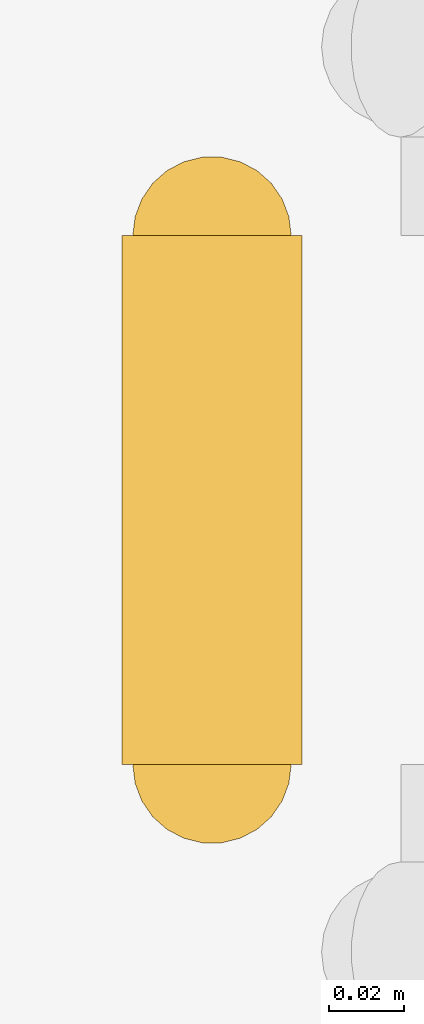
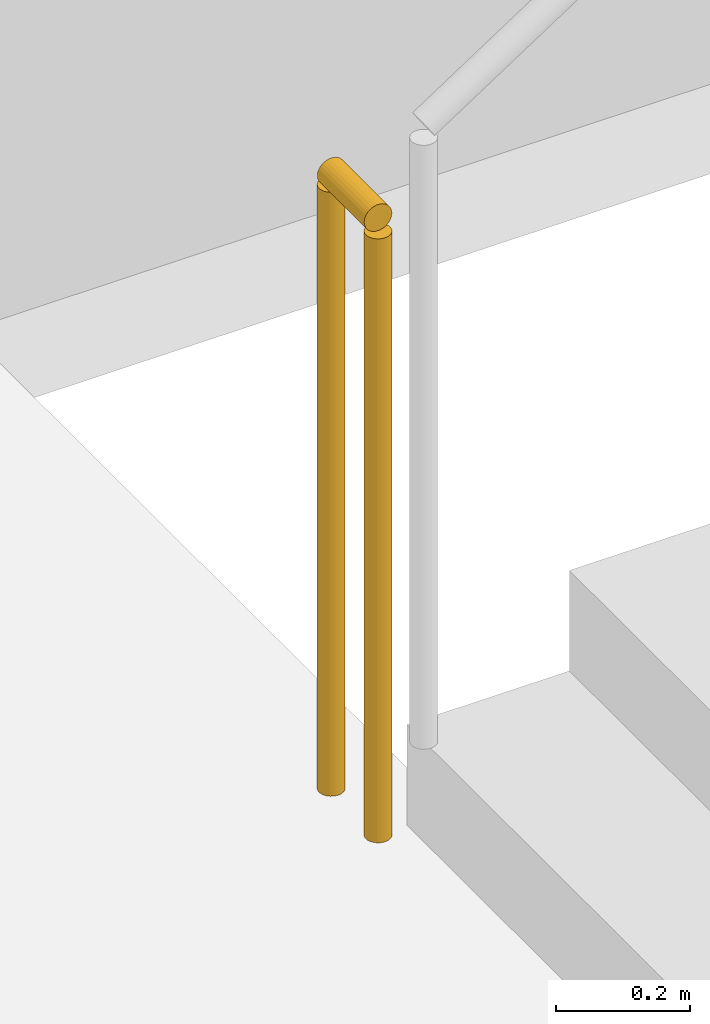
# One storey, part 22 of 27: 1 railing.
"""IFC4 building model written with IfcOpenShell, lengths in metres."""

from ifc_helpers import new_model, si_unit, direction, frame, origin, origin_2d, place, context, subcontext, project, spatial, circle, extrude, material, type_object, element, save


model = new_model("IFC4")

# Units and contexts
model_context = context("Model", 3, precision=1e-05, world=origin(), true_north=direction((0.0, 1.0)))
body_context = subcontext(model_context, "Body", "Model", "MODEL_VIEW")
ifc_project = project(units=[si_unit("LENGTHUNIT", "METRE"), si_unit("AREAUNIT", "SQUARE_METRE"), si_unit("VOLUMEUNIT", "CUBIC_METRE"), si_unit("PLANEANGLEUNIT", "RADIAN"), si_unit("MASSUNIT", "GRAM", prefix="KILO")], contexts=[model_context])

# Site, building, storey
site_placement = place(None, origin())
site = spatial("IfcSite", under=ifc_project, at=site_placement, CompositionType="ELEMENT")
building_placement = place(site_placement, origin())
building = spatial("IfcBuilding", under=site, at=building_placement, Name="Mirazonda Arch Towers", CompositionType="ELEMENT")
storey_placement = place(building_placement, frame((0.0, 0.0, 42.199951171875)))
storey = spatial("IfcBuildingStorey", under=building, at=storey_placement, Name="L11", CompositionType="ELEMENT", Elevation=42.199951171875)

# Railing
ifc_material = material(Name="Architectural Brushed Steel S355", Category="steel")
railing_type = type_object("IfcRailingType", Name="GUARD-STAIR-1120", PredefinedType="GUARDRAIL", material=ifc_material)
railing_placement = place(storey_placement, frame((13.800048828125, 14.64990234375, 0.0)))
element("IfcRailing", 1, at=railing_placement, inside=storey, type_object=railing_type, Name="L11 ST-T1S stair guard 4", PredefinedType="GUARDRAIL", context=body_context, shape_type="SweptSolid", body=[
    extrude(circle(Radius=0.02392578125, at=origin_2d()), frame((0.0, 0.0, 1.1259765625), z_axis=(0.0, 1.0, 0.0), x_axis=(-1.0, 0.0, 0.0)), (0.0, 0.0, 1.0), 0.14013671875),
    extrude(circle(Radius=0.02099609375, at=origin_2d()), origin(), (0.0, 0.0, 1.0), 1.101806640625),
    extrude(circle(Radius=0.02099609375, at=origin_2d()), frame((0.0, 0.14013671875, 0.0)), (0.0, 0.0, 1.0), 1.101806640625),
])

save(model, "model.ifc")
